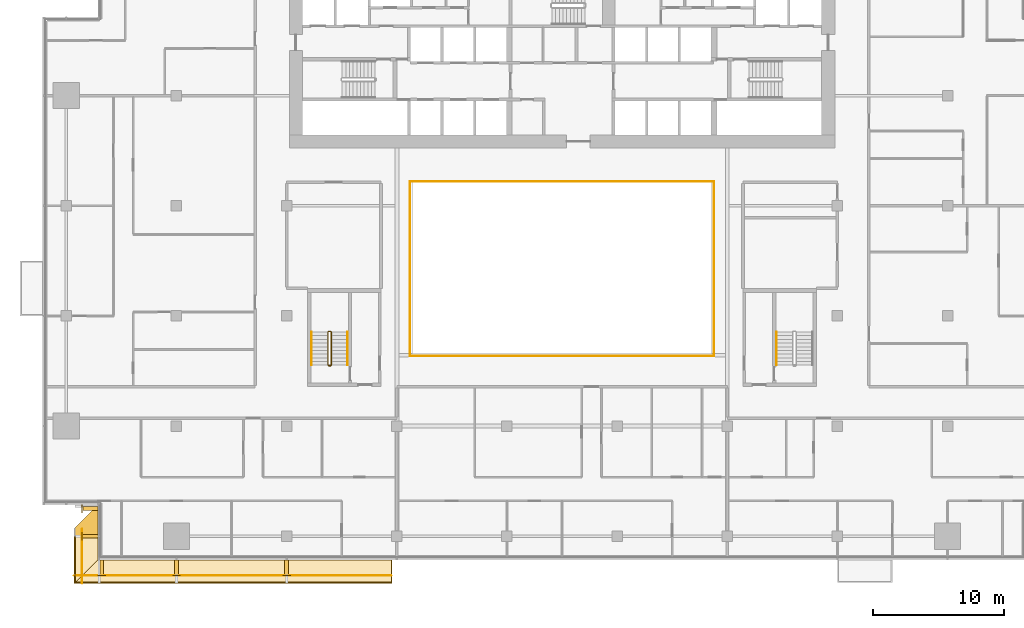
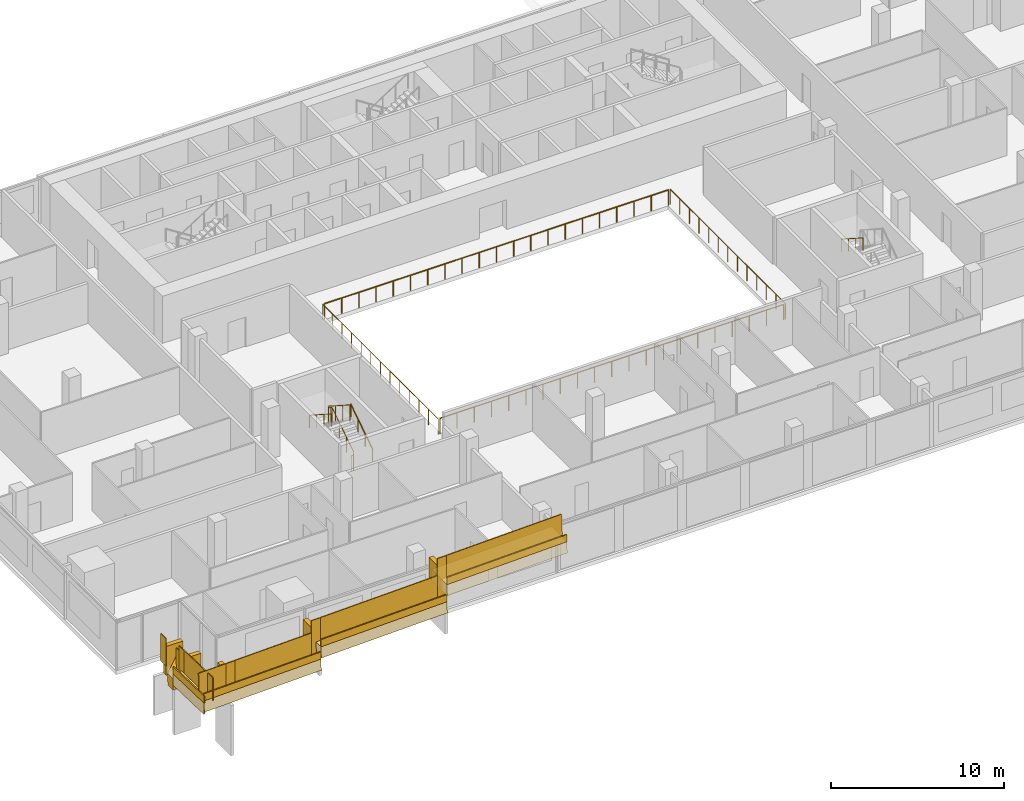
# One storey, part 25 of 29: 18 railings, 14 coverings.
"""IFC4 building model written with IfcOpenShell, lengths in metres."""

import ifcopenshell
import ifcopenshell.guid

model = None  # the IFC model being written
_history = None  # IfcOwnerHistory: only IFC2X3 demands one
_inside = {}  # id of a spatial element -> (the spatial element, [elements in it])
_under = {}  # id of a project, library or spatial element -> (it, [spatial elements below it])
_declared = {}  # id of a project -> (the project, [libraries it declares])
_typed = {}  # id of a type object -> (the type object, [elements of that type])
_made_of = {}  # id of a material, layer set ... -> (it, [elements and type objects made of it])


def new_model(schema):
    """Start an empty IFC model of exactly this schema.

    Asked for "IFC4X3", IfcOpenShell would pick the latest addendum, in which some entities
    have other attributes; the version numbers below select the first issue.
    IFC2X3 requires an IfcOwnerHistory on every rooted entity: one is made here for all.
    """
    global model, _history
    if schema == "IFC4X3":
        model = ifcopenshell.file(schema_version=(4, 3, 0, 0))
    else:
        model = ifcopenshell.file(schema=schema)
    _inside.clear()
    _under.clear()
    _declared.clear()
    _typed.clear()
    _made_of.clear()
    _history = None
    if model.schema == "IFC2X3":
        org = make("IfcOrganization", Name="unknown")
        user = make(
            "IfcPersonAndOrganization",
            ThePerson=make("IfcPerson", FamilyName="unknown"),
            TheOrganization=org,
        )
        app = make(
            "IfcApplication",
            ApplicationDeveloper=org,
            Version="unknown",
            ApplicationFullName="unknown",
            ApplicationIdentifier="unknown",
        )
        _history = make(
            "IfcOwnerHistory",
            OwningUser=user,
            OwningApplication=app,
            ChangeAction="ADDED",
            CreationDate=0,
        )
    return model


def make(cls, **values):
    """One entity of the class cls with the attributes given. An attribute that is None is left unset."""
    return model.create_entity(
        cls, **{name: value for name, value in values.items() if value is not None}
    )


def rooted(cls, **values):
    """An entity with a GlobalId (a new one), such as an element, a storey or a relation."""
    return make(cls, GlobalId=ifcopenshell.guid.new(), OwnerHistory=_history, **values)


def si_unit(unit_type, name, prefix=None):
    """IfcSIUnit, for example si_unit("LENGTHUNIT", "METRE", prefix="MILLI")."""
    return make("IfcSIUnit", UnitType=unit_type, Prefix=prefix, Name=name)


def assignment(units):
    """IfcUnitAssignment: the units of a project."""
    return None if units is None else make("IfcUnitAssignment", Units=units)


def point(xyz):
    """IfcCartesianPoint."""
    return None if xyz is None else make("IfcCartesianPoint", Coordinates=xyz)


def direction(xyz):
    """IfcDirection."""
    return None if xyz is None else make("IfcDirection", DirectionRatios=xyz)


def frame(location, z_axis=None, x_axis=None):
    """IfcAxis2Placement3D, a coordinate frame: its origin and axes. An axis left out is left unset."""
    return make(
        "IfcAxis2Placement3D",
        Location=point(location),
        Axis=direction(z_axis),
        RefDirection=direction(x_axis),
    )


def frame_2d(location, x_axis=None):
    """IfcAxis2Placement2D, a coordinate frame in the plane: its origin and x axis."""
    return make(
        "IfcAxis2Placement2D", Location=point(location), RefDirection=direction(x_axis)
    )


def origin():
    """The frame at (0, 0, 0) with its axes left unset."""
    return frame((0.0, 0.0, 0.0))


def origin_2d():
    """The frame at (0, 0) in the plane with its x axis left unset."""
    return frame_2d((0.0, 0.0))


def place(relative_to, where):
    """IfcLocalPlacement: puts the frame where relative to a parent placement (None: the world)."""
    return make(
        "IfcLocalPlacement", PlacementRelTo=relative_to, RelativePlacement=where
    )


def context(
    kind, dimensions, precision=None, world=None, true_north=None, identifier=None
):
    """IfcGeometricRepresentationContext, for example the 3D "Model" context."""
    return make(
        "IfcGeometricRepresentationContext",
        ContextIdentifier=identifier,
        ContextType=kind,
        CoordinateSpaceDimension=dimensions,
        Precision=precision,
        WorldCoordinateSystem=world,
        TrueNorth=true_north,
    )


def subcontext(parent, identifier, kind, view, scale=None):
    """IfcGeometricRepresentationSubContext, for example "Body" below "Model"."""
    return make(
        "IfcGeometricRepresentationSubContext",
        ContextIdentifier=identifier,
        ContextType=kind,
        ParentContext=parent,
        TargetScale=scale,
        TargetView=view,
    )


def project(units=None, contexts=None):
    """IfcProject with its units and contexts."""
    return rooted(
        "IfcProject",
        Name="project",
        RepresentationContexts=contexts,
        UnitsInContext=assignment(units),
    )


def spatial(cls, under=None, at=None, **own):
    """A site, building, storey or space (cls), placed at a placement, below another one or the project."""
    s = rooted(cls, ObjectPlacement=at, **own)
    if under is not None:
        _under.setdefault(under.id(), (under, []))[1].append(s)
    return s


def polyline(points):
    """IfcPolyline through the points."""
    return make("IfcPolyline", Points=[point(p) for p in points])


def profile(cls, at=None, kind="AREA", **sizes):
    """A parametric profile (cls). Its sizes go by their IFC names, for example OverallWidth=200.0."""
    return make(cls, ProfileType=kind, Position=at, **sizes)


def rectangle(**sizes):
    """IfcRectangleProfileDef."""
    return profile("IfcRectangleProfileDef", **sizes)


def circle(**sizes):
    """IfcCircleProfileDef."""
    return profile("IfcCircleProfileDef", **sizes)


def outline(outer, holes=None, kind="AREA"):
    """IfcArbitraryClosedProfileDef: a profile drawn as a closed curve; with holes, ...WithVoids."""
    if holes is None:
        return make("IfcArbitraryClosedProfileDef", ProfileType=kind, OuterCurve=outer)
    return make(
        "IfcArbitraryProfileDefWithVoids",
        ProfileType=kind,
        OuterCurve=outer,
        InnerCurves=holes,
    )


def extrude(swept, where, along, depth):
    """IfcExtrudedAreaSolid: the profile swept, set in the frame where, extruded along a direction by depth."""
    return make(
        "IfcExtrudedAreaSolid",
        SweptArea=swept,
        Position=where,
        ExtrudedDirection=direction(along),
        Depth=depth,
    )


def shape(context_of_items, identifier, shape_type, items):
    """IfcShapeRepresentation: the items that make up one representation, for example the "Body"."""
    return make(
        "IfcShapeRepresentation",
        ContextOfItems=context_of_items,
        RepresentationIdentifier=identifier,
        RepresentationType=shape_type,
        Items=items,
    )


def material(Name=None, Category=None):
    """IfcMaterial."""
    return make("IfcMaterial", Name=Name, Category=Category)


def layer(
    of_material, thickness, ventilated=None, Name=None, Category=None, Priority=None
):
    """IfcMaterialLayer: one layer of a wall or slab, of a material (None: an air gap)."""
    return make(
        "IfcMaterialLayer",
        Material=of_material,
        LayerThickness=thickness,
        IsVentilated=ventilated,
        Name=Name,
        Category=Category,
        Priority=Priority,
    )


def layer_set(layers, Name=None):
    """IfcMaterialLayerSet."""
    return make("IfcMaterialLayerSet", MaterialLayers=layers, LayerSetName=Name)


def made_of(thing, what):
    """Note that an element or type object is made of a material, layer set ...; save() writes the relation."""
    if what is not None:
        _made_of.setdefault(what.id(), (what, []))[1].append(thing)
    return thing


def type_object(cls, material=None, **own):
    """A type object (cls), such as IfcWallType, which elements share."""
    return made_of(rooted(cls, **own), material)


def element(
    cls,
    number,
    at=None,
    inside=None,
    cuts=None,
    type_object=None,
    material=None,
    context=None,
    identifier="Body",
    shape_type=None,
    held_by="IfcProductDefinitionShape",
    body=None,
    shapes=None,
    **own,
):
    """One element of the class cls, such as IfcWall. Its Tag is "e" and its number.

    at: its placement. inside: the storey or other place that contains it. cuts: it is an
    opening in that element (IfcRelVoidsElement). A single representation is given by context,
    identifier, shape_type and body (its items); several are given by shapes. held_by: the class
    of the entity that holds the representations. save() writes the other relations.
    """
    e = rooted(cls, Tag="e%d" % number, ObjectPlacement=at, **own)
    if body is not None:
        shapes = [shape(context, identifier, shape_type, body)]
    if shapes is not None:
        e.Representation = make(held_by, Representations=shapes)
    if inside is not None:
        _inside.setdefault(inside.id(), (inside, []))[1].append(e)
    if cuts is not None:
        rooted(
            "IfcRelVoidsElement", RelatingBuildingElement=cuts, RelatedOpeningElement=e
        )
    if type_object is not None:
        _typed.setdefault(type_object.id(), (type_object, []))[1].append(e)
    return made_of(e, material)


def aggregate(whole, parts):
    """IfcRelAggregates: a whole, such as a stair, and the parts it consists of."""
    return rooted("IfcRelAggregates", RelatingObject=whole, RelatedObjects=parts)


def save(model, path):
    """Write the relations noted so far, then the file.

    IfcRelAggregates (storeys below a building ...), IfcRelContainedInSpatialStructure (elements
    in a storey), IfcRelDefinesByType, IfcRelAssociatesMaterial and IfcRelDeclares: one each for
    every whole, place, type object, material and project.
    """
    for whole, parts in _under.values():
        aggregate(whole, parts)
    for where, things in _inside.values():
        rooted(
            "IfcRelContainedInSpatialStructure",
            RelatedElements=things,
            RelatingStructure=where,
        )
    for kind, things in _typed.values():
        rooted("IfcRelDefinesByType", RelatedObjects=things, RelatingType=kind)
    for what, things in _made_of.values():
        rooted("IfcRelAssociatesMaterial", RelatedObjects=things, RelatingMaterial=what)
    for by, libraries in _declared.values():
        rooted("IfcRelDeclares", RelatingContext=by, RelatedDefinitions=libraries)
    model.write(path)


model = new_model("IFC4")

# Units and contexts
model_context = context("Model", 3, precision=1e-05, world=origin(), true_north=direction((0.0, 1.0)))
body_context = subcontext(model_context, "Body", "Model", "MODEL_VIEW")
ifc_project = project(units=[si_unit("LENGTHUNIT", "METRE"), si_unit("AREAUNIT", "SQUARE_METRE"), si_unit("VOLUMEUNIT", "CUBIC_METRE"), si_unit("PLANEANGLEUNIT", "RADIAN"), si_unit("MASSUNIT", "GRAM", prefix="KILO")], contexts=[model_context])

# Site, building, storey
site_placement = place(None, origin())
site = spatial("IfcSite", under=ifc_project, at=site_placement, CompositionType="ELEMENT")
building_placement = place(site_placement, origin())
building = spatial("IfcBuilding", under=site, at=building_placement, Name="Saffron Gate Tower", CompositionType="ELEMENT")
storey_placement = place(building_placement, frame((0.0, 0.0, 116.85009765625)))
storey = spatial("IfcBuildingStorey", under=building, at=storey_placement, Name="L27", CompositionType="ELEMENT", Elevation=116.85009765625)

# Railings
ifc_material_1 = material(Name="Stainless steel and laminated glass", Category="steel")
railing_type_1 = type_object("IfcRailingType", Name="AG1 Atrium edge guard 1100", PredefinedType="GUARDRAIL", material=ifc_material_1)
railing_1_placement = place(storey_placement, frame((76.02001953125, 45.5400390625, 0.0)))
element("IfcRailing", 1, at=railing_1_placement, inside=storey, type_object=railing_type_1, Name="Guard B3-1", PredefinedType="GUARDRAIL", context=body_context, shape_type="SweptSolid", body=[
    extrude(circle(Radius=0.02392578125, at=origin_2d()), frame((0.0, 0.0, 1.076171875), z_axis=(0.0, 1.0, 0.0), x_axis=(-1.0, 0.0, 0.0)), (0.0, 0.0, 1.0), 13.320068359375),
    extrude(circle(Radius=0.02099609375, at=origin_2d()), origin(), (0.0, 0.0, 1.0), 1.052001953125),
    extrude(circle(Radius=0.02099609375, at=origin_2d()), frame((0.0, 1.110107421875, 0.0)), (0.0, 0.0, 1.0), 1.052001953125),
    extrude(circle(Radius=0.02099609375, at=origin_2d()), frame((0.0, 2.219970703125, 0.0)), (0.0, 0.0, 1.0), 1.052001953125),
    extrude(circle(Radius=0.02099609375, at=origin_2d()), frame((0.0, 3.330078125, 0.0)), (0.0, 0.0, 1.0), 1.052001953125),
    extrude(circle(Radius=0.02099609375, at=origin_2d()), frame((0.0, 4.43994140625, 0.0)), (0.0, 0.0, 1.0), 1.052001953125),
    extrude(circle(Radius=0.02099609375, at=origin_2d()), frame((0.0, 5.550048828125, 0.0)), (0.0, 0.0, 1.0), 1.052001953125),
    extrude(circle(Radius=0.02099609375, at=origin_2d()), frame((0.0, 6.66015625, 0.0)), (0.0, 0.0, 1.0), 1.052001953125),
    extrude(circle(Radius=0.02099609375, at=origin_2d()), frame((0.0, 7.77001953125, 0.0)), (0.0, 0.0, 1.0), 1.052001953125),
    extrude(circle(Radius=0.02099609375, at=origin_2d()), frame((0.0, 8.880126953125, 0.0)), (0.0, 0.0, 1.0), 1.052001953125),
    extrude(circle(Radius=0.02099609375, at=origin_2d()), frame((0.0, 9.989990234375, 0.0)), (0.0, 0.0, 1.0), 1.052001953125),
    extrude(circle(Radius=0.02099609375, at=origin_2d()), frame((0.0, 11.10009765625, 0.0)), (0.0, 0.0, 1.0), 1.052001953125),
    extrude(circle(Radius=0.02099609375, at=origin_2d()), frame((0.0, 12.2099609375, 0.0)), (0.0, 0.0, 1.0), 1.052001953125),
    extrude(circle(Radius=0.02099609375, at=origin_2d()), frame((0.0, 13.320068359375, 0.0)), (0.0, 0.0, 1.0), 1.052001953125),
])
railing_2_placement = place(storey_placement, frame((76.139892578125, 58.860107421875, 0.0)))
element("IfcRailing", 2, at=railing_2_placement, inside=storey, type_object=railing_type_1, Name="Guard B3-2", PredefinedType="GUARDRAIL", context=body_context, shape_type="SweptSolid", body=[
    extrude(circle(Radius=0.02392578125, at=origin_2d()), frame((0.0, 0.0, 1.076171875), z_axis=(1.0, 0.0, 0.0), x_axis=(0.0, 1.0, 0.0)), (0.0, 0.0, 1.0), 22.920166015625),
    extrude(circle(Radius=0.02099609375, at=origin_2d()), origin(), (0.0, 0.0, 1.0), 1.052001953125),
    extrude(circle(Radius=0.02099609375, at=origin_2d()), frame((1.14599609375, 0.0, 0.0)), (0.0, 0.0, 1.0), 1.052001953125),
    extrude(circle(Radius=0.02099609375, at=origin_2d()), frame((2.2919921875, 0.0, 0.0)), (0.0, 0.0, 1.0), 1.052001953125),
    extrude(circle(Radius=0.02099609375, at=origin_2d()), frame((3.43798828125, 0.0, 0.0)), (0.0, 0.0, 1.0), 1.052001953125),
    extrude(circle(Radius=0.02099609375, at=origin_2d()), frame((4.583984375, 0.0, 0.0)), (0.0, 0.0, 1.0), 1.052001953125),
    extrude(circle(Radius=0.02099609375, at=origin_2d()), frame((5.72998046875, 0.0, 0.0)), (0.0, 0.0, 1.0), 1.052001953125),
    extrude(circle(Radius=0.02099609375, at=origin_2d()), frame((6.8759765625, 0.0, 0.0)), (0.0, 0.0, 1.0), 1.052001953125),
    extrude(circle(Radius=0.02099609375, at=origin_2d()), frame((8.02197265625, 0.0, 0.0)), (0.0, 0.0, 1.0), 1.052001953125),
    extrude(circle(Radius=0.02099609375, at=origin_2d()), frame((9.16796875, 0.0, 0.0)), (0.0, 0.0, 1.0), 1.052001953125),
    extrude(circle(Radius=0.02099609375, at=origin_2d()), frame((10.31396484375, 0.0, 0.0)), (0.0, 0.0, 1.0), 1.052001953125),
    extrude(circle(Radius=0.02099609375, at=origin_2d()), frame((11.4599609375, 0.0, 0.0)), (0.0, 0.0, 1.0), 1.052001953125),
    extrude(circle(Radius=0.02099609375, at=origin_2d()), frame((12.606201171875, 0.0, 0.0)), (0.0, 0.0, 1.0), 1.052001953125),
    extrude(circle(Radius=0.02099609375, at=origin_2d()), frame((13.752197265625, 0.0, 0.0)), (0.0, 0.0, 1.0), 1.052001953125),
    extrude(circle(Radius=0.02099609375, at=origin_2d()), frame((14.898193359375, 0.0, 0.0)), (0.0, 0.0, 1.0), 1.052001953125),
    extrude(circle(Radius=0.02099609375, at=origin_2d()), frame((16.044189453125, 0.0, 0.0)), (0.0, 0.0, 1.0), 1.052001953125),
    extrude(circle(Radius=0.02099609375, at=origin_2d()), frame((17.190185546875, 0.0, 0.0)), (0.0, 0.0, 1.0), 1.052001953125),
    extrude(circle(Radius=0.02099609375, at=origin_2d()), frame((18.336181640625, 0.0, 0.0)), (0.0, 0.0, 1.0), 1.052001953125),
    extrude(circle(Radius=0.02099609375, at=origin_2d()), frame((19.482177734375, 0.0, 0.0)), (0.0, 0.0, 1.0), 1.052001953125),
    extrude(circle(Radius=0.02099609375, at=origin_2d()), frame((20.628173828125, 0.0, 0.0)), (0.0, 0.0, 1.0), 1.052001953125),
    extrude(circle(Radius=0.02099609375, at=origin_2d()), frame((21.774169921875, 0.0, 0.0)), (0.0, 0.0, 1.0), 1.052001953125),
    extrude(circle(Radius=0.02099609375, at=origin_2d()), frame((22.920166015625, 0.0, 0.0)), (0.0, 0.0, 1.0), 1.052001953125),
])
railing_3_placement = place(storey_placement, frame((99.179931640625, 58.860107421875, 0.0)))
element("IfcRailing", 3, at=railing_3_placement, inside=storey, type_object=railing_type_1, Name="Guard B3-3", PredefinedType="GUARDRAIL", context=body_context, shape_type="SweptSolid", body=[
    extrude(circle(Radius=0.02392578125, at=origin_2d()), frame((0.0, 0.0, 1.076171875), z_axis=(0.0, -1.0, 0.0), x_axis=(1.0, 0.0, 0.0)), (0.0, 0.0, 1.0), 13.320068359375),
    extrude(circle(Radius=0.02099609375, at=origin_2d()), origin(), (0.0, 0.0, 1.0), 1.052001953125),
    extrude(circle(Radius=0.02099609375, at=origin_2d()), frame((0.0, -1.110107421875, 0.0)), (0.0, 0.0, 1.0), 1.052001953125),
    extrude(circle(Radius=0.02099609375, at=origin_2d()), frame((0.0, -2.219970703125, 0.0)), (0.0, 0.0, 1.0), 1.052001953125),
    extrude(circle(Radius=0.02099609375, at=origin_2d()), frame((0.0, -3.330078125, 0.0)), (0.0, 0.0, 1.0), 1.052001953125),
    extrude(circle(Radius=0.02099609375, at=origin_2d()), frame((0.0, -4.43994140625, 0.0)), (0.0, 0.0, 1.0), 1.052001953125),
    extrude(circle(Radius=0.02099609375, at=origin_2d()), frame((0.0, -5.550048828125, 0.0)), (0.0, 0.0, 1.0), 1.052001953125),
    extrude(circle(Radius=0.02099609375, at=origin_2d()), frame((0.0, -6.66015625, 0.0)), (0.0, 0.0, 1.0), 1.052001953125),
    extrude(circle(Radius=0.02099609375, at=origin_2d()), frame((0.0, -7.77001953125, 0.0)), (0.0, 0.0, 1.0), 1.052001953125),
    extrude(circle(Radius=0.02099609375, at=origin_2d()), frame((0.0, -8.880126953125, 0.0)), (0.0, 0.0, 1.0), 1.052001953125),
    extrude(circle(Radius=0.02099609375, at=origin_2d()), frame((0.0, -9.989990234375, 0.0)), (0.0, 0.0, 1.0), 1.052001953125),
    extrude(circle(Radius=0.02099609375, at=origin_2d()), frame((0.0, -11.10009765625, 0.0)), (0.0, 0.0, 1.0), 1.052001953125),
    extrude(circle(Radius=0.02099609375, at=origin_2d()), frame((0.0, -12.2099609375, 0.0)), (0.0, 0.0, 1.0), 1.052001953125),
    extrude(circle(Radius=0.02099609375, at=origin_2d()), frame((0.0, -13.320068359375, 0.0)), (0.0, 0.0, 1.0), 1.052001953125),
])
railing_4_placement = place(storey_placement, frame((99.06005859375, 45.5400390625, 0.0)))
element("IfcRailing", 4, at=railing_4_placement, inside=storey, type_object=railing_type_1, Name="Guard B3-4", PredefinedType="GUARDRAIL", context=body_context, shape_type="SweptSolid", body=[
    extrude(circle(Radius=0.02392578125, at=origin_2d()), frame((0.0, 0.0, 1.076171875), z_axis=(-1.0, 0.0, 0.0), x_axis=(0.0, -1.0, 0.0)), (0.0, 0.0, 1.0), 22.920166015625),
    extrude(circle(Radius=0.02099609375, at=origin_2d()), origin(), (0.0, 0.0, 1.0), 1.052001953125),
    extrude(circle(Radius=0.02099609375, at=origin_2d()), frame((-1.14599609375, 0.0, 0.0)), (0.0, 0.0, 1.0), 1.052001953125),
    extrude(circle(Radius=0.02099609375, at=origin_2d()), frame((-2.2919921875, 0.0, 0.0)), (0.0, 0.0, 1.0), 1.052001953125),
    extrude(circle(Radius=0.02099609375, at=origin_2d()), frame((-3.43798828125, 0.0, 0.0)), (0.0, 0.0, 1.0), 1.052001953125),
    extrude(circle(Radius=0.02099609375, at=origin_2d()), frame((-4.583984375, 0.0, 0.0)), (0.0, 0.0, 1.0), 1.052001953125),
    extrude(circle(Radius=0.02099609375, at=origin_2d()), frame((-5.72998046875, 0.0, 0.0)), (0.0, 0.0, 1.0), 1.052001953125),
    extrude(circle(Radius=0.02099609375, at=origin_2d()), frame((-6.8759765625, 0.0, 0.0)), (0.0, 0.0, 1.0), 1.052001953125),
    extrude(circle(Radius=0.02099609375, at=origin_2d()), frame((-8.02197265625, 0.0, 0.0)), (0.0, 0.0, 1.0), 1.052001953125),
    extrude(circle(Radius=0.02099609375, at=origin_2d()), frame((-9.16796875, 0.0, 0.0)), (0.0, 0.0, 1.0), 1.052001953125),
    extrude(circle(Radius=0.02099609375, at=origin_2d()), frame((-10.31396484375, 0.0, 0.0)), (0.0, 0.0, 1.0), 1.052001953125),
    extrude(circle(Radius=0.02099609375, at=origin_2d()), frame((-11.4599609375, 0.0, 0.0)), (0.0, 0.0, 1.0), 1.052001953125),
    extrude(circle(Radius=0.02099609375, at=origin_2d()), frame((-12.606201171875, 0.0, 0.0)), (0.0, 0.0, 1.0), 1.052001953125),
    extrude(circle(Radius=0.02099609375, at=origin_2d()), frame((-13.752197265625, 0.0, 0.0)), (0.0, 0.0, 1.0), 1.052001953125),
    extrude(circle(Radius=0.02099609375, at=origin_2d()), frame((-14.898193359375, 0.0, 0.0)), (0.0, 0.0, 1.0), 1.052001953125),
    extrude(circle(Radius=0.02099609375, at=origin_2d()), frame((-16.044189453125, 0.0, 0.0)), (0.0, 0.0, 1.0), 1.052001953125),
    extrude(circle(Radius=0.02099609375, at=origin_2d()), frame((-17.190185546875, 0.0, 0.0)), (0.0, 0.0, 1.0), 1.052001953125),
    extrude(circle(Radius=0.02099609375, at=origin_2d()), frame((-18.336181640625, 0.0, 0.0)), (0.0, 0.0, 1.0), 1.052001953125),
    extrude(circle(Radius=0.02099609375, at=origin_2d()), frame((-19.482177734375, 0.0, 0.0)), (0.0, 0.0, 1.0), 1.052001953125),
    extrude(circle(Radius=0.02099609375, at=origin_2d()), frame((-20.628173828125, 0.0, 0.0)), (0.0, 0.0, 1.0), 1.052001953125),
    extrude(circle(Radius=0.02099609375, at=origin_2d()), frame((-21.774169921875, 0.0, 0.0)), (0.0, 0.0, 1.0), 1.052001953125),
    extrude(circle(Radius=0.02099609375, at=origin_2d()), frame((-22.920166015625, 0.0, 0.0)), (0.0, 0.0, 1.0), 1.052001953125),
])
railing_type_2 = type_object("IfcRailingType", Name="CR1 Stair guard 1100", PredefinedType="GUARDRAIL", material=ifc_material_1)
railing_5_placement = place(storey_placement, frame((69.800048828125, 44.800048828125, 0.0)))
element("IfcRailing", 5, at=railing_5_placement, inside=storey, type_object=railing_type_2, Name="L27 ST-D stair guard 1", PredefinedType="GUARDRAIL", context=body_context, shape_type="SweptSolid", body=[
    extrude(circle(Radius=0.02392578125, at=origin_2d()), frame((0.0, 0.0, 1.076171875), z_axis=(1.0, 0.0, 0.0), x_axis=(0.0, 1.0, 0.0)), (0.0, 0.0, 1.0), 0.14990234375),
    extrude(circle(Radius=0.02392578125, at=origin_2d()), frame((0.14990234375, 0.0, 1.076171875), z_axis=(0.258847668887, 0.258847668887, 0.930588936439), x_axis=(-0.707106781187, 0.707106781187, 0.0)), (0.0, 0.0, 1.0), 0.193359375),
    extrude(circle(Radius=0.02392578125, at=origin_2d()), frame((0.199951171875, 0.050048828125, 1.255859375), z_axis=(0.0, 0.841199657755, 0.540724639528), x_axis=(-1.0, 0.0, 0.0)), (0.0, 0.0, 1.0), 2.995849609375),
    extrude(circle(Radius=0.02392578125, at=origin_2d()), frame((0.199951171875, 2.570068359375, 2.8759765625), z_axis=(-0.708833529934, 0.705375805398, 0.0), x_axis=(-0.705375805398, -0.708833529934, 0.0)), (0.0, 0.0, 1.0), 0.070556640625),
    extrude(circle(Radius=0.02392578125, at=origin_2d()), frame((0.14990234375, 2.619873046875, 2.8759765625), z_axis=(-1.0, 0.0, 0.0), x_axis=(0.0, -1.0, 0.0)), (0.0, 0.0, 1.0), 0.14990234375),
    extrude(circle(Radius=0.02392578125, at=origin_2d()), frame((0.0, 2.619873046875, 2.8759765625), z_axis=(-0.258627984543, -0.257366384619, 0.931060744355), x_axis=(0.705375805398, -0.708833529934, 0.0)), (0.0, 0.0, 1.0), 0.193603515625),
    extrude(circle(Radius=0.02392578125, at=origin_2d()), frame((-0.050048828125, 2.570068359375, 3.05615234375), z_axis=(0.0, -0.841199657755, 0.540724639528), x_axis=(1.0, 0.0, 0.0)), (0.0, 0.0, 1.0), 2.995849609375),
    extrude(circle(Radius=0.02099609375, at=origin_2d()), origin(), (0.0, 0.0, 1.0), 1.052001953125),
    extrude(circle(Radius=0.02099609375, at=origin_2d()), frame((0.14990234375, 0.0, 0.0)), (0.0, 0.0, 1.0), 1.052001953125),
    extrude(circle(Radius=0.02099609375, at=origin_2d()), frame((0.199951171875, 0.050048828125, 0.179931640625)), (0.0, 0.0, 1.0), 1.052001953125),
    extrude(circle(Radius=0.02099609375, at=origin_2d()), frame((0.199951171875, 0.89013671875, 0.719970703125)), (0.0, 0.0, 1.0), 1.052001953125),
    extrude(circle(Radius=0.02099609375, at=origin_2d()), frame((0.199951171875, 1.72998046875, 1.259765625)), (0.0, 0.0, 1.0), 1.052001953125),
    extrude(circle(Radius=0.02099609375, at=origin_2d()), frame((0.199951171875, 2.570068359375, 1.7998046875)), (0.0, 0.0, 1.0), 1.052001953125),
    extrude(circle(Radius=0.02099609375, at=origin_2d()), frame((0.14990234375, 2.619873046875, 1.7998046875)), (0.0, 0.0, 1.0), 1.052001953125),
    extrude(circle(Radius=0.02099609375, at=origin_2d()), frame((0.0, 2.619873046875, 1.7998046875)), (0.0, 0.0, 1.0), 1.052001953125),
    extrude(circle(Radius=0.02099609375, at=origin_2d()), frame((-0.050048828125, 2.570068359375, 1.97998046875)), (0.0, 0.0, 1.0), 1.052001953125),
    extrude(circle(Radius=0.02099609375, at=origin_2d()), frame((-0.050048828125, 1.72998046875, 2.52001953125)), (0.0, 0.0, 1.0), 1.052001953125),
    extrude(circle(Radius=0.02099609375, at=origin_2d()), frame((-0.050048828125, 0.89013671875, 3.059814453125)), (0.0, 0.0, 1.0), 1.052001953125),
    extrude(circle(Radius=0.02099609375, at=origin_2d()), frame((-0.050048828125, 0.050048828125, 3.599853515625)), (0.0, 0.0, 1.0), 1.052001953125),
])
ifc_material_2 = material(Name="Stainless steel", Category="steel")
railing_type_3 = type_object("IfcRailingType", Name="CR2 Stair handrail 900", PredefinedType="HANDRAIL", material=ifc_material_2)
railing_6_placement = place(storey_placement, frame((71.25, 44.85009765625, 0.179931640625)))
element("IfcRailing", 6, at=railing_6_placement, inside=storey, type_object=railing_type_3, Name="L27 ST-D stair handrail 1", PredefinedType="HANDRAIL", context=body_context, shape_type="SweptSolid", body=[
    extrude(circle(Radius=0.02392578125, at=origin_2d()), frame((0.0, 0.0, 0.8759765625), z_axis=(0.0, 0.841199657755, 0.540724639528), x_axis=(-1.0, 0.0, 0.0)), (0.0, 0.0, 1.0), 2.995849609375),
    extrude(circle(Radius=0.02099609375, at=origin_2d()), origin(), (0.0, 0.0, 1.0), 0.851806640625),
    extrude(circle(Radius=0.02099609375, at=origin_2d()), frame((0.0, 0.840087890625, 0.5400390625)), (0.0, 0.0, 1.0), 0.851806640625),
    extrude(circle(Radius=0.02099609375, at=origin_2d()), frame((0.0, 1.679931640625, 1.079833984375)), (0.0, 0.0, 1.0), 0.851806640625),
    extrude(circle(Radius=0.02099609375, at=origin_2d()), frame((0.0, 2.52001953125, 1.619873046875)), (0.0, 0.0, 1.0), 0.851806640625),
])
for number, where, name in (
    (7, (68.5, 47.3701171875, 1.97998046875), "L27 ST-D stair handrail 2"),
    (8, (103.949951171875, 47.3701171875, 1.97998046875), "L27 ST-E stair handrail 2"),
):
    element("IfcRailing", number, at=place(storey_placement, frame(where)), inside=storey, type_object=railing_type_3, Name=name, PredefinedType="HANDRAIL", context=body_context, shape_type="SweptSolid", body=[
        extrude(circle(Radius=0.02392578125, at=origin_2d()), frame((0.0, 0.0, 0.8759765625), z_axis=(0.0, -0.841199657755, 0.540724639528), x_axis=(1.0, 0.0, 0.0)), (0.0, 0.0, 1.0), 2.995849609375),
        extrude(circle(Radius=0.02099609375, at=origin_2d()), origin(), (0.0, 0.0, 1.0), 0.851806640625),
        extrude(circle(Radius=0.02099609375, at=origin_2d()), frame((0.0, -0.840087890625, 0.5400390625)), (0.0, 0.0, 1.0), 0.851806640625),
        extrude(circle(Radius=0.02099609375, at=origin_2d()), frame((0.0, -1.679931640625, 1.079833984375)), (0.0, 0.0, 1.0), 0.851806640625),
        extrude(circle(Radius=0.02099609375, at=origin_2d()), frame((0.0, -2.52001953125, 1.619873046875)), (0.0, 0.0, 1.0), 0.851806640625),
    ])

# Coverings
ifc_material_3 = material(Name="Timber, thermally modified ash", Category="wood")
ifc_layer_1 = layer(ifc_material_3, 0.800048828125)
ifc_layer_set_1 = layer_set([ifc_layer_1], Name="LD1 ledge timber")
covering_type_1 = type_object("IfcCoveringType", Name="LD1 ledge timber", PredefinedType="CLADDING", material=ifc_layer_set_1)
covering_1_placement = place(storey_placement, frame((52.199951171875, 34.199951171875, 0.0078125), z_axis=(-2.8677152e-05, 0.028798988267, 0.999585222706), x_axis=(-6.17e-10, -0.999585223117, 0.028798988279)))
element("IfcCovering", 9, at=covering_1_placement, inside=storey, type_object=covering_type_1, Name="LEDGE", PredefinedType="CLADDING", context=body_context, shape_type="SweptSolid", body=[
    extrude(outline(polyline([(0.0, 0.0), (2.400896693585025, -4.235164736271502e-22), (2.400896694694882, -1.8000488273848385), (1.8007927832284332, -1.8000488292351673), (0.0, 0.0)])), origin(), (0.0, 0.0, -1.0), 0.800048828125),
])
covering_2_placement = place(storey_placement, frame((52.199951171875, 31.800048828125, 0.419921875), z_axis=(0.0, 0.028741681402, 0.999586872538), x_axis=(0.0, -0.999586872538, 0.028741681402)))
element("IfcCovering", 10, at=covering_2_placement, inside=storey, type_object=covering_type_1, Name="LEDGE", PredefinedType="CLADDING", context=body_context, shape_type="SweptSolid", body=[
    extrude(outline(polyline([(0.0, 0.0), (1.8007927850779974, 0.0), (3.601585570155995, -1.800048828125), (0.0, -1.800048828125), (0.0, 0.0)])), origin(), (0.0, 0.0, -1.0), 0.800048828125),
])
covering_3_placement = place(storey_placement, frame((52.199951171875, 30.0, 0.72900390625), z_axis=(-0.028807146299, -3.5027307e-05, 0.99958498743), x_axis=(0.999584988043, -3.68e-10, 0.028807146316)))
element("IfcCovering", 11, at=covering_3_placement, inside=storey, type_object=covering_type_1, Name="LEDGE", PredefinedType="CLADDING", context=body_context, shape_type="SweptSolid", body=[
    extrude(outline(polyline([(0.0, 0.0), (6.0024892885105, 2.541098841762901e-21), (6.002489289172793, -1.8000488270207489), (-1.800799813548424, -1.8000488321003227), (0.0, 0.0)])), origin(), (0.0, 0.0, -1.0), 0.800048828125),
])
covering_4_placement = place(storey_placement, frame((58.199951171875, 30.0, 1.75927734375), z_axis=(-0.028790339263, 0.0, 0.999585472266), x_axis=(0.999585472266, 0.0, 0.028790339263)))
element("IfcCovering", 12, at=covering_4_placement, inside=storey, type_object=covering_type_1, Name="LEDGE", PredefinedType="CLADDING", context=body_context, shape_type="SweptSolid", body=[
    extrude(outline(polyline([(0.0, 0.0), (8.403630022085892, 0.0), (8.403630022085892, -1.800048828125), (0.0, -1.800048828125), (0.0, 0.0)])), origin(), (0.0, 0.0, -1.0), 0.800048828125),
])
covering_5_placement = place(storey_placement, frame((66.60009765625, 30.0, 3.201416015625), z_axis=(-0.028796646555, 0.0, 0.999585290582), x_axis=(0.999585290582, 0.0, 0.028796646555)))
element("IfcCovering", 13, at=covering_5_placement, inside=storey, type_object=covering_type_1, Name="LEDGE", PredefinedType="CLADDING", context=body_context, shape_type="SweptSolid", body=[
    extrude(outline(polyline([(0.0, 0.0), (8.003319051788862, 0.0), (8.003319051788862, -1.800048828125), (0.0, -1.800048828125), (0.0, 0.0)])), origin(), (0.0, 0.0, -1.0), 0.800048828125),
])
ifc_layer_2 = layer(ifc_material_3, 0.080078125)
ifc_layer_set_2 = layer_set([ifc_layer_2], Name="LD2 ledge planter trough")
covering_type_2 = type_object("IfcCoveringType", Name="LD2 ledge planter trough", PredefinedType="CLADDING", material=ifc_layer_set_2)
covering_6_placement = place(storey_placement, frame((50.39990234375, 31.800048828125, 0.419921875), z_axis=(-1.0, 0.0, 0.0), x_axis=(0.0, -0.999586872538, 0.028741681402)))
element("IfcCovering", 14, at=covering_6_placement, inside=storey, type_object=covering_type_2, Name="LEDGE planter trough", PredefinedType="CLADDING", context=body_context, shape_type="SweptSolid", body=[
    extrude(outline(polyline([(0.0, 0.0), (3.601585570155995, 0.0), (3.6159564108570694, 0.49979343626896944), (0.014370840701074394, 0.4997934362689694), (0.0, 0.0)])), origin(), (0.0, 0.0, -1.0), 0.080078125),
])
covering_7_placement = place(storey_placement, frame((50.39990234375, 28.199951171875, 0.677001953125), z_axis=(0.0, -1.0, 0.0), x_axis=(0.999584755248, 0.0, 0.028815222999)))
element("IfcCovering", 15, at=covering_7_placement, inside=storey, type_object=covering_type_2, Name="LEDGE planter trough", PredefinedType="CLADDING", context=body_context, shape_type="SweptSolid", body=[
    extrude(outline(polyline([(0.0, 0.0), (7.803289102975944, 0.0), (7.8176967144752565, 0.4997923776238338), (0.014407611499312996, 0.4997923776238338), (0.0, 0.0)])), origin(), (0.0, 0.0, -1.0), 0.080078125),
])
covering_8_placement = place(storey_placement, frame((58.199951171875, 28.199951171875, 1.75927734375), z_axis=(0.0, -1.0, 0.0), x_axis=(0.999585472266, 0.0, 0.028790339263)))
element("IfcCovering", 16, at=covering_8_placement, inside=storey, type_object=covering_type_2, Name="LEDGE planter trough", PredefinedType="CLADDING", context=body_context, shape_type="SweptSolid", body=[
    extrude(outline(polyline([(0.0, 0.0), (8.403630022085892, 0.0), (8.418025191717298, 0.4997927361329725), (0.014395169631405694, 0.4997927361329725), (0.0, 0.0)])), origin(), (0.0, 0.0, -1.0), 0.080078125),
])
covering_9_placement = place(storey_placement, frame((66.60009765625, 28.199951171875, 3.201416015625), z_axis=(0.0, -1.0, 0.0), x_axis=(0.999585290582, 0.0, 0.028796646555)))
element("IfcCovering", 17, at=covering_9_placement, inside=storey, type_object=covering_type_2, Name="LEDGE planter trough", PredefinedType="CLADDING", context=body_context, shape_type="SweptSolid", body=[
    extrude(outline(polyline([(0.0, 0.0), (8.003319051788862, 0.0), (8.017717375066283, 0.4997926452908234), (0.014398323277421184, 0.49979264529082346), (0.0, 0.0)])), origin(), (0.0, 0.0, -1.0), 0.080078125),
])
ifc_layer_3 = layer(ifc_material_3, 0.300048828125)
ifc_layer_set_3 = layer_set([ifc_layer_3], Name="LD3 ledge riser fin")
covering_type_3 = type_object("IfcCoveringType", Name="LD3 ledge riser fin", PredefinedType="CLADDING", material=ifc_layer_set_3)
for number, where, z_axis, x_axis, name in (
    (18, (51.639892578125, 33.89990234375, -1.13525390625), (0.0, 0.0, 1.0), (0.0, -1.0, 0.0), "LEDGE riser fin"),
    (19, (51.639892578125, 31.800048828125, -0.72314453125), (0.0, 0.0, 1.0), (0.0, -1.0, 0.0), "LEDGE riser fin"),
):
    element("IfcCovering", number, at=place(storey_placement, frame(where, z_axis=z_axis, x_axis=x_axis)), inside=storey, type_object=covering_type_3, Name=name, PredefinedType="CLADDING", context=body_context, shape_type="SweptSolid", body=[
        extrude(rectangle(XDim=0.300048828125, YDim=1.1201171875, at=origin_2d()), origin(), (0.0, 0.0, 1.0), 2.04296875),
    ])
covering_10_placement = place(storey_placement, frame((52.5, 29.43994140625, -0.328125), z_axis=(0.0, 0.0, 1.0), x_axis=(1.0, 0.0, 0.0)))
element("IfcCovering", 20, at=covering_10_placement, inside=storey, type_object=covering_type_3, Name="LEDGE riser fin", PredefinedType="CLADDING", context=body_context, shape_type="SweptSolid", body=[
    extrude(rectangle(XDim=0.300048828125, YDim=1.1201171875, at=origin_2d()), origin(), (0.0, 0.0, 1.0), 1.957275390625),
])
covering_11_placement = place(storey_placement, frame((58.199951171875, 29.43994140625, 0.1015625), z_axis=(0.0, 0.0, 1.0), x_axis=(1.0, 0.0, 0.0)))
element("IfcCovering", 21, at=covering_11_placement, inside=storey, type_object=covering_type_3, Name="LEDGE riser fin", PredefinedType="CLADDING", context=body_context, shape_type="SweptSolid", body=[
    extrude(rectangle(XDim=0.300048828125, YDim=1.1201171875, at=origin_2d()), origin(), (0.0, 0.0, 1.0), 2.557373046875),
])
covering_12_placement = place(storey_placement, frame((66.60009765625, 29.43994140625, 1.201171875), z_axis=(0.0, 0.0, 1.0), x_axis=(1.0, 0.0, 0.0)))
element("IfcCovering", 22, at=covering_12_placement, inside=storey, type_object=covering_type_3, Name="LEDGE riser fin", PredefinedType="CLADDING", context=body_context, shape_type="SweptSolid", body=[
    extrude(rectangle(XDim=0.300048828125, YDim=1.1201171875, at=origin_2d()), origin(), (0.0, 0.0, 1.0), 2.900390625),
])

# Railings
railing_type_4 = type_object("IfcRailingType", Name="LG1 ledge balustrade", PredefinedType="BALUSTRADE", material=ifc_material_3)
railing_7_placement = place(storey_placement, frame((51.0, 32.39990234375, 0.0595703125)))
element("IfcRailing", 23, at=railing_7_placement, inside=storey, type_object=railing_type_4, Name="LEDGE BALUSTRADE", PredefinedType="BALUSTRADE", context=body_context, shape_type="SweptSolid", body=[
    extrude(rectangle(XDim=0.06005859375, YDim=1.60009765625, at=origin_2d()), frame((0.0, 0.0, 0.800048828125), z_axis=(0.0, -0.999582742162, 0.028884971385), x_axis=(1.0, 0.0, 0.0)), (0.0, 0.0, 1.0), 0.60009765625),
])
railing_8_placement = place(storey_placement, frame((51.0, 34.199951171875, -0.335205078125)))
element("IfcRailing", 24, at=railing_8_placement, inside=storey, type_object=railing_type_4, Name="LEDGE BALUSTRADE", PredefinedType="BALUSTRADE", context=body_context, shape_type="SweptSolid", body=[
    extrude(rectangle(XDim=0.06005859375, YDim=1.943115234375, at=origin_2d()), frame((0.0, 0.0, 0.9716796875), z_axis=(0.0, -1.0, 0.0), x_axis=(1.0, 0.0, 0.0)), (0.0, 0.0, 1.0), 0.599853515625),
])
railing_9_placement = place(storey_placement, frame((51.0, 31.800048828125, 0.419921875)))
element("IfcRailing", 25, at=railing_9_placement, inside=storey, type_object=railing_type_4, Name="LEDGE BALUSTRADE", PredefinedType="BALUSTRADE", context=body_context, shape_type="SweptSolid", body=[
    extrude(rectangle(XDim=0.06005859375, YDim=1.60009765625, at=origin_2d()), frame((0.0, 0.0, 0.800048828125), z_axis=(0.0, -0.999586872538, 0.028741681402), x_axis=(1.0, 0.0, 0.0)), (0.0, 0.0, 1.0), 3.6015625),
])
railing_10_placement = place(storey_placement, frame((51.0, 32.10009765625, 0.076904296875)))
element("IfcRailing", 26, at=railing_10_placement, inside=storey, type_object=railing_type_4, Name="LEDGE BALUSTRADE", PredefinedType="BALUSTRADE", context=body_context, shape_type="SweptSolid", body=[
    extrude(rectangle(XDim=0.06005859375, YDim=1.943115234375, at=origin_2d()), frame((0.0, 0.0, 0.9716796875), z_axis=(0.0, -1.0, 0.0), x_axis=(1.0, 0.0, 0.0)), (0.0, 0.0, 1.0), 0.60009765625),
])
railing_11_placement = place(storey_placement, frame((50.39990234375, 28.800048828125, 0.677001953125)))
element("IfcRailing", 27, at=railing_11_placement, inside=storey, type_object=railing_type_4, Name="LEDGE BALUSTRADE", PredefinedType="BALUSTRADE", context=body_context, shape_type="SweptSolid", body=[
    extrude(rectangle(XDim=0.06005859375, YDim=1.60009765625, at=origin_2d()), frame((0.0, 0.0, 0.800048828125), z_axis=(0.999584755248, 0.0, 0.028815222999), x_axis=(0.0, 1.0, 0.0)), (0.0, 0.0, 1.0), 7.80322265625),
])
railing_12_placement = place(storey_placement, frame((52.199951171875, 28.800048828125, 0.4716796875)))
element("IfcRailing", 28, at=railing_12_placement, inside=storey, type_object=railing_type_4, Name="LEDGE BALUSTRADE", PredefinedType="BALUSTRADE", context=body_context, shape_type="SweptSolid", body=[
    extrude(rectangle(XDim=0.06005859375, YDim=1.857177734375, at=origin_2d()), frame((0.0, 0.0, 0.9287109375), z_axis=(1.0, 0.0, 0.0), x_axis=(0.0, 1.0, 0.0)), (0.0, 0.0, 1.0), 0.60009765625),
])
railing_13_placement = place(storey_placement, frame((58.199951171875, 28.800048828125, 1.75927734375)))
element("IfcRailing", 29, at=railing_13_placement, inside=storey, type_object=railing_type_4, Name="LEDGE BALUSTRADE", PredefinedType="BALUSTRADE", context=body_context, shape_type="SweptSolid", body=[
    extrude(rectangle(XDim=0.06005859375, YDim=1.60009765625, at=origin_2d()), frame((0.0, 0.0, 0.800048828125), z_axis=(0.999585472266, 0.0, 0.028790339263), x_axis=(0.0, 1.0, 0.0)), (0.0, 0.0, 1.0), 8.403564453125),
])
railing_14_placement = place(storey_placement, frame((57.89990234375, 28.800048828125, 0.90185546875)))
element("IfcRailing", 30, at=railing_14_placement, inside=storey, type_object=railing_type_4, Name="LEDGE BALUSTRADE", PredefinedType="BALUSTRADE", context=body_context, shape_type="SweptSolid", body=[
    extrude(rectangle(XDim=0.06005859375, YDim=2.45751953125, at=origin_2d()), frame((0.0, 0.0, 1.228759765625), z_axis=(1.0, 0.0, 0.0), x_axis=(0.0, 1.0, 0.0)), (0.0, 0.0, 1.0), 0.60009765625),
])
railing_15_placement = place(storey_placement, frame((66.60009765625, 28.800048828125, 3.201416015625)))
element("IfcRailing", 31, at=railing_15_placement, inside=storey, type_object=railing_type_4, Name="LEDGE BALUSTRADE", PredefinedType="BALUSTRADE", context=body_context, shape_type="SweptSolid", body=[
    extrude(rectangle(XDim=0.06005859375, YDim=1.60009765625, at=origin_2d()), frame((0.0, 0.0, 0.800048828125), z_axis=(0.999585290582, 0.0, 0.028796646555), x_axis=(0.0, 1.0, 0.0)), (0.0, 0.0, 1.0), 8.00341796875),
])
railing_16_placement = place(storey_placement, frame((66.300048828125, 28.800048828125, 2.001220703125)))
element("IfcRailing", 32, at=railing_16_placement, inside=storey, type_object=railing_type_4, Name="LEDGE BALUSTRADE", PredefinedType="BALUSTRADE", context=body_context, shape_type="SweptSolid", body=[
    extrude(rectangle(XDim=0.06005859375, YDim=2.80029296875, at=origin_2d()), frame((0.0, 0.0, 1.400146484375), z_axis=(1.0, 0.0, 0.0), x_axis=(0.0, 1.0, 0.0)), (0.0, 0.0, 1.0), 0.599853515625),
])

save(model, "model.ifc")
